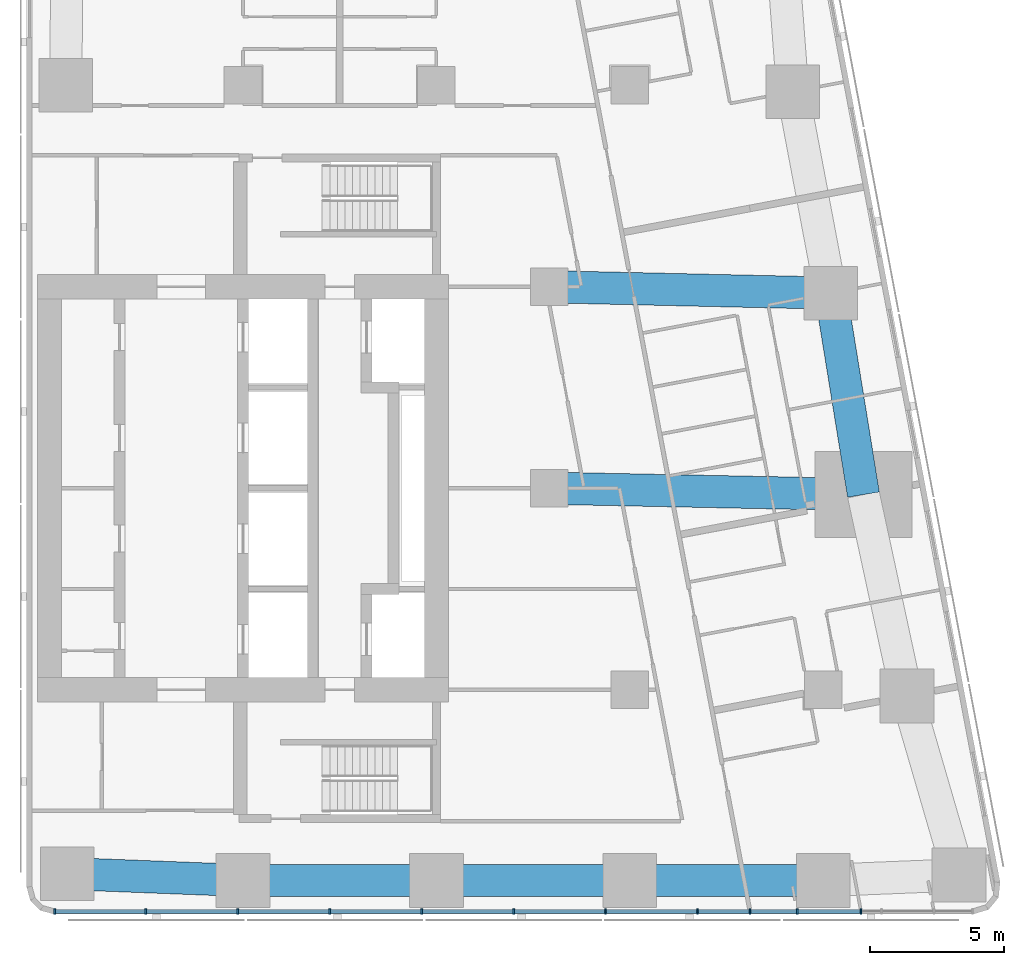
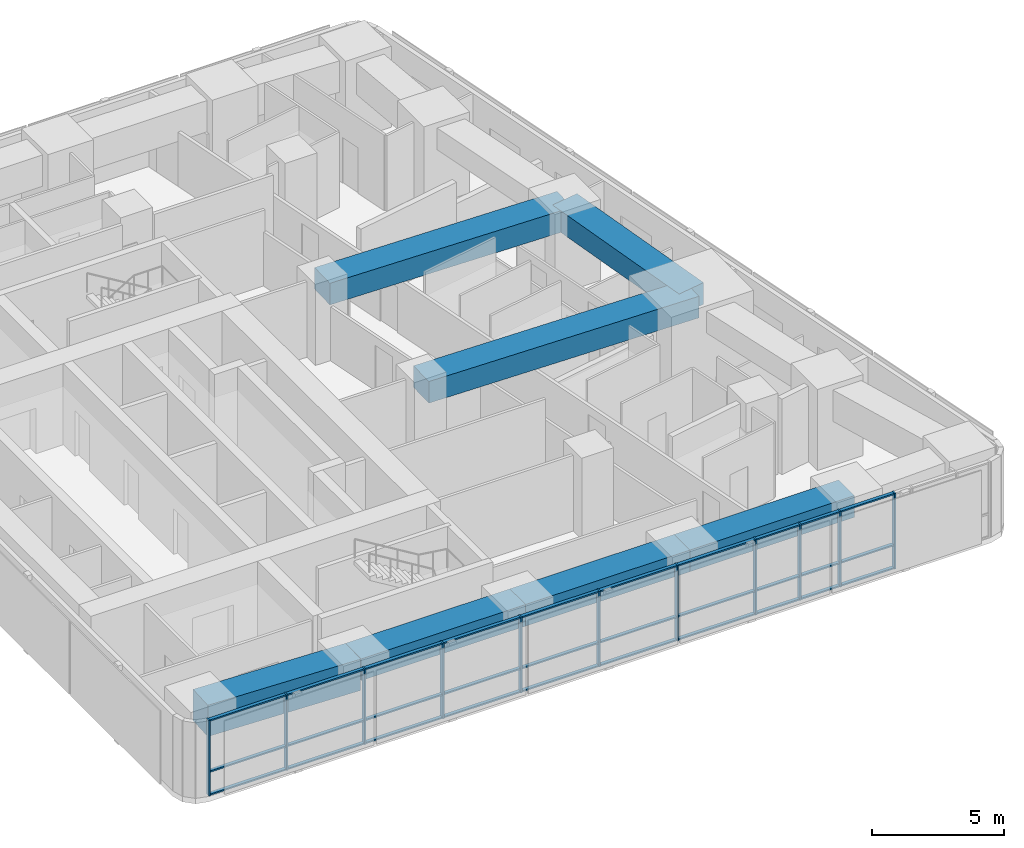
# One storey, part 2 of 11: 41 members, 7 beams, 1 element without a shape of its own.
"""IFC4 building model written with IfcOpenShell, lengths in metres."""

import ifcopenshell
import ifcopenshell.guid

model = None  # the IFC model being written
_history = None  # IfcOwnerHistory: only IFC2X3 demands one
_inside = {}  # id of a spatial element -> (the spatial element, [elements in it])
_under = {}  # id of a project, library or spatial element -> (it, [spatial elements below it])
_declared = {}  # id of a project -> (the project, [libraries it declares])
_typed = {}  # id of a type object -> (the type object, [elements of that type])
_made_of = {}  # id of a material, layer set ... -> (it, [elements and type objects made of it])


def new_model(schema):
    """Start an empty IFC model of exactly this schema.

    Asked for "IFC4X3", IfcOpenShell would pick the latest addendum, in which some entities
    have other attributes; the version numbers below select the first issue.
    IFC2X3 requires an IfcOwnerHistory on every rooted entity: one is made here for all.
    """
    global model, _history
    if schema == "IFC4X3":
        model = ifcopenshell.file(schema_version=(4, 3, 0, 0))
    else:
        model = ifcopenshell.file(schema=schema)
    _inside.clear()
    _under.clear()
    _declared.clear()
    _typed.clear()
    _made_of.clear()
    _history = None
    if model.schema == "IFC2X3":
        org = make("IfcOrganization", Name="unknown")
        user = make(
            "IfcPersonAndOrganization",
            ThePerson=make("IfcPerson", FamilyName="unknown"),
            TheOrganization=org,
        )
        app = make(
            "IfcApplication",
            ApplicationDeveloper=org,
            Version="unknown",
            ApplicationFullName="unknown",
            ApplicationIdentifier="unknown",
        )
        _history = make(
            "IfcOwnerHistory",
            OwningUser=user,
            OwningApplication=app,
            ChangeAction="ADDED",
            CreationDate=0,
        )
    return model


def make(cls, **values):
    """One entity of the class cls with the attributes given. An attribute that is None is left unset."""
    return model.create_entity(
        cls, **{name: value for name, value in values.items() if value is not None}
    )


def rooted(cls, **values):
    """An entity with a GlobalId (a new one), such as an element, a storey or a relation."""
    return make(cls, GlobalId=ifcopenshell.guid.new(), OwnerHistory=_history, **values)


def si_unit(unit_type, name, prefix=None):
    """IfcSIUnit, for example si_unit("LENGTHUNIT", "METRE", prefix="MILLI")."""
    return make("IfcSIUnit", UnitType=unit_type, Prefix=prefix, Name=name)


def assignment(units):
    """IfcUnitAssignment: the units of a project."""
    return None if units is None else make("IfcUnitAssignment", Units=units)


def point(xyz):
    """IfcCartesianPoint."""
    return None if xyz is None else make("IfcCartesianPoint", Coordinates=xyz)


def direction(xyz):
    """IfcDirection."""
    return None if xyz is None else make("IfcDirection", DirectionRatios=xyz)


def frame(location, z_axis=None, x_axis=None):
    """IfcAxis2Placement3D, a coordinate frame: its origin and axes. An axis left out is left unset."""
    return make(
        "IfcAxis2Placement3D",
        Location=point(location),
        Axis=direction(z_axis),
        RefDirection=direction(x_axis),
    )


def frame_2d(location, x_axis=None):
    """IfcAxis2Placement2D, a coordinate frame in the plane: its origin and x axis."""
    return make(
        "IfcAxis2Placement2D", Location=point(location), RefDirection=direction(x_axis)
    )


def origin():
    """The frame at (0, 0, 0) with its axes left unset."""
    return frame((0.0, 0.0, 0.0))


def origin_2d():
    """The frame at (0, 0) in the plane with its x axis left unset."""
    return frame_2d((0.0, 0.0))


def place(relative_to, where):
    """IfcLocalPlacement: puts the frame where relative to a parent placement (None: the world)."""
    return make(
        "IfcLocalPlacement", PlacementRelTo=relative_to, RelativePlacement=where
    )


def context(
    kind, dimensions, precision=None, world=None, true_north=None, identifier=None
):
    """IfcGeometricRepresentationContext, for example the 3D "Model" context."""
    return make(
        "IfcGeometricRepresentationContext",
        ContextIdentifier=identifier,
        ContextType=kind,
        CoordinateSpaceDimension=dimensions,
        Precision=precision,
        WorldCoordinateSystem=world,
        TrueNorth=true_north,
    )


def subcontext(parent, identifier, kind, view, scale=None):
    """IfcGeometricRepresentationSubContext, for example "Body" below "Model"."""
    return make(
        "IfcGeometricRepresentationSubContext",
        ContextIdentifier=identifier,
        ContextType=kind,
        ParentContext=parent,
        TargetScale=scale,
        TargetView=view,
    )


def project(units=None, contexts=None):
    """IfcProject with its units and contexts."""
    return rooted(
        "IfcProject",
        Name="project",
        RepresentationContexts=contexts,
        UnitsInContext=assignment(units),
    )


def spatial(cls, under=None, at=None, **own):
    """A site, building, storey or space (cls), placed at a placement, below another one or the project."""
    s = rooted(cls, ObjectPlacement=at, **own)
    if under is not None:
        _under.setdefault(under.id(), (under, []))[1].append(s)
    return s


def profile(cls, at=None, kind="AREA", **sizes):
    """A parametric profile (cls). Its sizes go by their IFC names, for example OverallWidth=200.0."""
    return make(cls, ProfileType=kind, Position=at, **sizes)


def rectangle(**sizes):
    """IfcRectangleProfileDef."""
    return profile("IfcRectangleProfileDef", **sizes)


def extrude(swept, where, along, depth):
    """IfcExtrudedAreaSolid: the profile swept, set in the frame where, extruded along a direction by depth."""
    return make(
        "IfcExtrudedAreaSolid",
        SweptArea=swept,
        Position=where,
        ExtrudedDirection=direction(along),
        Depth=depth,
    )


def shape(context_of_items, identifier, shape_type, items):
    """IfcShapeRepresentation: the items that make up one representation, for example the "Body"."""
    return make(
        "IfcShapeRepresentation",
        ContextOfItems=context_of_items,
        RepresentationIdentifier=identifier,
        RepresentationType=shape_type,
        Items=items,
    )


def material(Name=None, Category=None):
    """IfcMaterial."""
    return make("IfcMaterial", Name=Name, Category=Category)


def material_profile(
    of_material, cross_section, Name=None, Category=None, Priority=None
):
    """IfcMaterialProfile: a cross section and its material."""
    return make(
        "IfcMaterialProfile",
        Name=Name,
        Material=of_material,
        Profile=cross_section,
        Priority=Priority,
        Category=Category,
    )


def profile_set(profiles, Name=None, composite=None):
    """IfcMaterialProfileSet."""
    return make(
        "IfcMaterialProfileSet",
        Name=Name,
        MaterialProfiles=profiles,
        CompositeProfile=composite,
    )


def made_of(thing, what):
    """Note that an element or type object is made of a material, layer set ...; save() writes the relation."""
    if what is not None:
        _made_of.setdefault(what.id(), (what, []))[1].append(thing)
    return thing


def type_object(cls, material=None, **own):
    """A type object (cls), such as IfcWallType, which elements share."""
    return made_of(rooted(cls, **own), material)


def element(
    cls,
    number,
    at=None,
    inside=None,
    cuts=None,
    type_object=None,
    material=None,
    context=None,
    identifier="Body",
    shape_type=None,
    held_by="IfcProductDefinitionShape",
    body=None,
    shapes=None,
    **own,
):
    """One element of the class cls, such as IfcWall. Its Tag is "e" and its number.

    at: its placement. inside: the storey or other place that contains it. cuts: it is an
    opening in that element (IfcRelVoidsElement). A single representation is given by context,
    identifier, shape_type and body (its items); several are given by shapes. held_by: the class
    of the entity that holds the representations. save() writes the other relations.
    """
    e = rooted(cls, Tag="e%d" % number, ObjectPlacement=at, **own)
    if body is not None:
        shapes = [shape(context, identifier, shape_type, body)]
    if shapes is not None:
        e.Representation = make(held_by, Representations=shapes)
    if inside is not None:
        _inside.setdefault(inside.id(), (inside, []))[1].append(e)
    if cuts is not None:
        rooted(
            "IfcRelVoidsElement", RelatingBuildingElement=cuts, RelatedOpeningElement=e
        )
    if type_object is not None:
        _typed.setdefault(type_object.id(), (type_object, []))[1].append(e)
    return made_of(e, material)


def aggregate(whole, parts):
    """IfcRelAggregates: a whole, such as a stair, and the parts it consists of."""
    return rooted("IfcRelAggregates", RelatingObject=whole, RelatedObjects=parts)


def save(model, path):
    """Write the relations noted so far, then the file.

    IfcRelAggregates (storeys below a building ...), IfcRelContainedInSpatialStructure (elements
    in a storey), IfcRelDefinesByType, IfcRelAssociatesMaterial and IfcRelDeclares: one each for
    every whole, place, type object, material and project.
    """
    for whole, parts in _under.values():
        aggregate(whole, parts)
    for where, things in _inside.values():
        rooted(
            "IfcRelContainedInSpatialStructure",
            RelatedElements=things,
            RelatingStructure=where,
        )
    for kind, things in _typed.values():
        rooted("IfcRelDefinesByType", RelatedObjects=things, RelatingType=kind)
    for what, things in _made_of.values():
        rooted("IfcRelAssociatesMaterial", RelatedObjects=things, RelatingMaterial=what)
    for by, libraries in _declared.values():
        rooted("IfcRelDeclares", RelatingContext=by, RelatedDefinitions=libraries)
    model.write(path)


model = new_model("IFC4")

# Units and contexts
model_context = context("Model", 3, precision=1e-05, world=origin(), true_north=direction((0.0, 1.0)))
body_context = subcontext(model_context, "Body", "Model", "MODEL_VIEW")
ifc_project = project(units=[si_unit("LENGTHUNIT", "METRE"), si_unit("AREAUNIT", "SQUARE_METRE"), si_unit("VOLUMEUNIT", "CUBIC_METRE"), si_unit("PLANEANGLEUNIT", "RADIAN"), si_unit("MASSUNIT", "GRAM", prefix="KILO")], contexts=[model_context])

# Site, building, storey
site_placement = place(None, origin())
site = spatial("IfcSite", under=ifc_project, at=site_placement, CompositionType="ELEMENT")
building_placement = place(site_placement, origin())
building = spatial("IfcBuilding", under=site, at=building_placement, Name="Sheger Commons Tower", CompositionType="ELEMENT")
storey_placement = place(building_placement, frame((0.0, 0.0, 255.35009765625)))
storey = spatial("IfcBuildingStorey", under=building, at=storey_placement, Name="L65", CompositionType="ELEMENT", Elevation=255.35009765625)

# Beams
ifc_material_1 = material(Name="Concrete C50/60", Category="concrete")
ifc_material_profile_1 = material_profile(ifc_material_1, rectangle(XDim=1.199951171875, YDim=1.0, at=origin_2d()), Name="RC 1200x1000")
ifc_profile_set_1 = profile_set([ifc_material_profile_1], Name="Concrete C50/60")
beam_type_1 = type_object("IfcBeamType", Name="BEAM RC 1200x1000", PredefinedType="BEAM", material=ifc_profile_set_1)
beam_1_placement = place(storey_placement, frame((33.0, 22.5, 3.0), z_axis=(0.999794692776, -0.02026258368, 0.0), x_axis=(0.02026258368, 0.999794692776, 0.0)))
element("IfcBeam", 1, at=beam_1_placement, inside=storey, type_object=beam_type_1, Name="Beam 6-3000/D-7/D under L66", PredefinedType="BEAM", context=body_context, shape_type="SweptSolid", body=[
    extrude(rectangle(XDim=1.199951171875, YDim=1.0, at=origin_2d()), origin(), (0.0, 0.0, 1.0), 11.699462890625),
])
beam_2_placement = place(storey_placement, frame((33.0, 30.0, 3.0), z_axis=(0.999744258625, -0.022614538395, 0.0), x_axis=(0.022614538395, 0.999744258625, 0.0)))
element("IfcBeam", 2, at=beam_2_placement, inside=storey, type_object=beam_type_1, Name="Beam 6-3000/E-E/E under L66", PredefinedType="BEAM", context=body_context, shape_type="SweptSolid", body=[
    extrude(rectangle(XDim=1.199951171875, YDim=1.0, at=origin_2d()), origin(), (0.0, 0.0, 1.0), 10.482666015625),
])

# Curtain wall, members
ifc_material_2 = material(Name="Black aluminium curtain wall, dark tinted glazing", Category="aluminium")
curtain_wall_type = type_object("IfcCurtainWallType", Name="CURTAIN WALL CW5 SOUTH GALLERY", PredefinedType="USERDEFINED", material=ifc_material_2)
curtain_wall_placement = place(storey_placement, origin())
curtain_wall = element("IfcCurtainWall", 3, at=curtain_wall_placement, inside=storey, type_object=curtain_wall_type, Name="Curtain Wall Cw5 South Gallery S1 L65", ObjectType="UNITISED CURTAIN WALL", PredefinedType="USERDEFINED")
ifc_material_3 = material(Name="Black anodised aluminium", Category="aluminium")
ifc_material_profile_2 = material_profile(ifc_material_3, rectangle(XDim=0.199951171875, YDim=0.06494140625, at=origin_2d()), Name="AL 65x200")
ifc_profile_set_2 = profile_set([ifc_material_profile_2], Name="Black anodised aluminium")
member_type_1 = type_object("IfcMemberType", Name="MULLION AL 65x200", PredefinedType="MULLION", material=ifc_profile_set_2)
member_1_placement = place(storey_placement, frame((14.595458984375, 6.75, 0.0), z_axis=(0.0, 0.0, 1.0), x_axis=(0.0, 1.0, 0.0)))
member_1 = element("IfcMember", 4, at=member_1_placement, type_object=member_type_1, Name="CW5 mullion 1", PredefinedType="MULLION", context=body_context, shape_type="SweptSolid", body=[
    extrude(rectangle(XDim=0.199951171875, YDim=0.06494140625, at=origin_2d()), origin(), (0.0, 0.0, 1.0), 3.5),
])
member_2_placement = place(storey_placement, frame((17.985107421875, 6.75, 0.0), z_axis=(0.0, 0.0, 1.0), x_axis=(0.0, 1.0, 0.0)))
member_2 = element("IfcMember", 5, at=member_2_placement, type_object=member_type_1, Name="CW5 mullion 2", PredefinedType="MULLION", context=body_context, shape_type="SweptSolid", body=[
    extrude(rectangle(XDim=0.199951171875, YDim=0.06494140625, at=origin_2d()), origin(), (0.0, 0.0, 1.0), 3.5),
])
member_3_placement = place(storey_placement, frame((21.407958984375, 6.75, 0.0), z_axis=(0.0, 0.0, 1.0), x_axis=(0.0, 1.0, 0.0)))
member_3 = element("IfcMember", 6, at=member_3_placement, type_object=member_type_1, Name="CW5 mullion 3", PredefinedType="MULLION", context=body_context, shape_type="SweptSolid", body=[
    extrude(rectangle(XDim=0.199951171875, YDim=0.06494140625, at=origin_2d()), origin(), (0.0, 0.0, 1.0), 3.5),
])
member_4_placement = place(storey_placement, frame((24.830078125, 6.75, 0.0), z_axis=(0.0, 0.0, 1.0), x_axis=(0.0, 1.0, 0.0)))
member_4 = element("IfcMember", 7, at=member_4_placement, type_object=member_type_1, Name="CW5 mullion 4", PredefinedType="MULLION", context=body_context, shape_type="SweptSolid", body=[
    extrude(rectangle(XDim=0.199951171875, YDim=0.06494140625, at=origin_2d()), origin(), (0.0, 0.0, 1.0), 3.5),
])
member_5_placement = place(storey_placement, frame((28.2529296875, 6.75, 0.0), z_axis=(0.0, 0.0, 1.0), x_axis=(0.0, 1.0, 0.0)))
member_5 = element("IfcMember", 8, at=member_5_placement, type_object=member_type_1, Name="CW5 mullion 5", PredefinedType="MULLION", context=body_context, shape_type="SweptSolid", body=[
    extrude(rectangle(XDim=0.199951171875, YDim=0.06494140625, at=origin_2d()), origin(), (0.0, 0.0, 1.0), 3.5),
])
member_6_placement = place(storey_placement, frame((31.675048828125, 6.75, 0.0), z_axis=(0.0, 0.0, 1.0), x_axis=(0.0, 1.0, 0.0)))
member_6 = element("IfcMember", 9, at=member_6_placement, type_object=member_type_1, Name="CW5 mullion 6", PredefinedType="MULLION", context=body_context, shape_type="SweptSolid", body=[
    extrude(rectangle(XDim=0.199951171875, YDim=0.06494140625, at=origin_2d()), origin(), (0.0, 0.0, 1.0), 3.5),
])
member_7_placement = place(storey_placement, frame((35.096923828125, 6.75, 0.0), z_axis=(0.0, 0.0, 1.0), x_axis=(0.0, 1.0, 0.0)))
member_7 = element("IfcMember", 10, at=member_7_placement, type_object=member_type_1, Name="CW5 mullion 7", PredefinedType="MULLION", context=body_context, shape_type="SweptSolid", body=[
    extrude(rectangle(XDim=0.199951171875, YDim=0.06494140625, at=origin_2d()), origin(), (0.0, 0.0, 1.0), 3.5),
])
member_8_placement = place(storey_placement, frame((38.52001953125, 6.75, 0.0), z_axis=(0.0, 0.0, 1.0), x_axis=(0.0, 1.0, 0.0)))
member_8 = element("IfcMember", 11, at=member_8_placement, type_object=member_type_1, Name="CW5 mullion 8", PredefinedType="MULLION", context=body_context, shape_type="SweptSolid", body=[
    extrude(rectangle(XDim=0.199951171875, YDim=0.06494140625, at=origin_2d()), origin(), (0.0, 0.0, 1.0), 3.5),
])
member_9_placement = place(storey_placement, frame((40.47412109375, 6.75, 0.0), z_axis=(0.0, 0.0, 1.0), x_axis=(0.0, 1.0, 0.0)))
member_9 = element("IfcMember", 12, at=member_9_placement, type_object=member_type_1, Name="CW5 mullion 9", PredefinedType="MULLION", context=body_context, shape_type="SweptSolid", body=[
    extrude(rectangle(XDim=0.199951171875, YDim=0.06494140625, at=origin_2d()), origin(), (0.0, 0.0, 1.0), 3.5),
])
member_10_placement = place(storey_placement, frame((42.22802734375, 6.75, 0.0), z_axis=(0.0, 0.0, 1.0), x_axis=(0.0, 1.0, 0.0)))
member_10 = element("IfcMember", 13, at=member_10_placement, type_object=member_type_1, Name="CW5 mullion 10", PredefinedType="MULLION", context=body_context, shape_type="SweptSolid", body=[
    extrude(rectangle(XDim=0.199951171875, YDim=0.06494140625, at=origin_2d()), origin(), (0.0, 0.0, 1.0), 3.5),
])
member_11_placement = place(storey_placement, frame((44.60595703125, 6.75, 0.0), z_axis=(0.0, 0.0, 1.0), x_axis=(0.0, 1.0, 0.0)))
member_11 = element("IfcMember", 14, at=member_11_placement, type_object=member_type_1, Name="CW5 mullion 11", PredefinedType="MULLION", context=body_context, shape_type="SweptSolid", body=[
    extrude(rectangle(XDim=0.199951171875, YDim=0.06494140625, at=origin_2d()), origin(), (0.0, 0.0, 1.0), 3.5),
])

# Beams
ifc_material_4 = material(Name="Concrete C50/60", Category="concrete")
ifc_material_profile_3 = material_profile(ifc_material_4, rectangle(XDim=1.199951171875, YDim=1.0, at=origin_2d()), Name="RC 1200x1000")
ifc_profile_set_3 = profile_set([ifc_material_profile_3], Name="Concrete C50/60")
beam_type_2 = type_object("IfcBeamType", Name="SPANDREL RC 1200x1000", PredefinedType="SPANDREL", material=ifc_profile_set_3)
for number, where, z_axis, x_axis, name in (
    (15, (21.60009765625, 7.89990234375, 3.0), (1.0, 0.0, 0.0), (0.0, 1.0, 0.0), "Beam 4/B-5/B under L66"),
    (16, (28.800048828125, 7.89990234375, 3.0), (1.0, 0.0, 0.0), (0.0, 1.0, 0.0), "Beam 5/B-6/B under L66"),
    (17, (36.0, 7.89990234375, 3.0), (1.0, 0.0, 0.0), (0.0, 1.0, 0.0), "Beam 6/B-7/B under L66"),
):
    element("IfcBeam", number, at=place(storey_placement, frame(where, z_axis=z_axis, x_axis=x_axis)), inside=storey, type_object=beam_type_2, Name=name, PredefinedType="SPANDREL", context=body_context, shape_type="SweptSolid", body=[
        extrude(rectangle(XDim=1.199951171875, YDim=1.0, at=origin_2d()), origin(), (0.0, 0.0, 1.0), 7.199951171875),
    ])
beam_3_placement = place(storey_placement, frame((44.697021484375, 22.262939453125, 3.0), z_axis=(-0.160176929512, 0.987088319884, 0.0), x_axis=(-0.987088319884, -0.160176929512, 0.0)))
element("IfcBeam", 18, at=beam_3_placement, inside=storey, type_object=beam_type_2, Name="Beam E/D-E/E under L66", PredefinedType="SPANDREL", context=body_context, shape_type="SweptSolid", body=[
    extrude(rectangle(XDim=1.199951171875, YDim=1.0, at=origin_2d()), origin(), (0.0, 0.0, 1.0), 7.59814453125),
])
ifc_material_5 = material(Name="Concrete C50/60", Category="concrete")
ifc_material_profile_4 = material_profile(ifc_material_5, rectangle(XDim=1.199951171875, YDim=1.449951171875, at=origin_2d()), Name="RC 1200x1450")
ifc_profile_set_4 = profile_set([ifc_material_profile_4], Name="Concrete C50/60")
beam_type_3 = type_object("IfcBeamType", Name="SPANDREL RC 1200x1450", PredefinedType="SPANDREL", material=ifc_profile_set_4)
beam_4_placement = place(storey_placement, frame((15.053955078125, 8.154052734375, 2.77490234375), z_axis=(0.999247181966, -0.038795223079, 0.0), x_axis=(0.038795223079, 0.999247181966, 0.0)))
element("IfcBeam", 19, at=beam_4_placement, inside=storey, type_object=beam_type_3, Name="Beam 3/B-4/B under L66", PredefinedType="SPANDREL", context=body_context, shape_type="SweptSolid", body=[
    extrude(rectangle(XDim=1.199951171875, YDim=1.449951171875, at=origin_2d()), origin(), (0.0, 0.0, 1.0), 6.551025390625),
])

# Member
ifc_material_6 = material(Name="Black anodised aluminium", Category="aluminium")
ifc_material_profile_5 = material_profile(ifc_material_6, rectangle(XDim=0.14990234375, YDim=0.06494140625, at=origin_2d()), Name="AL 65x150")
ifc_profile_set_5 = profile_set([ifc_material_profile_5], Name="Black anodised aluminium")
member_type_2 = type_object("IfcMemberType", Name="TRANSOM AL 65x150", PredefinedType="USERDEFINED", material=ifc_profile_set_5)
member_12_placement = place(storey_placement, frame((14.6279296875, 6.75, 0.032470703125), z_axis=(1.0, 0.0, 0.0), x_axis=(0.0, 1.0, 0.0)))
member_12 = element("IfcMember", 20, at=member_12_placement, type_object=member_type_2, Name="CW5 transom 1.1", ObjectType="TRANSOM", PredefinedType="USERDEFINED", context=body_context, shape_type="SweptSolid", body=[
    extrude(rectangle(XDim=0.14990234375, YDim=0.06494140625, at=origin_2d()), origin(), (0.0, 0.0, 1.0), 3.324462890625),
])

member_13_placement = place(storey_placement, frame((14.6279296875, 6.75, 1.099853515625), z_axis=(1.0, 0.0, 0.0), x_axis=(0.0, 1.0, 0.0)))
member_13 = element("IfcMember", 21, at=member_13_placement, type_object=member_type_2, Name="CW5 transom 1.2", ObjectType="TRANSOM", PredefinedType="USERDEFINED", context=body_context, shape_type="SweptSolid", body=[
    extrude(rectangle(XDim=0.14990234375, YDim=0.06494140625, at=origin_2d()), origin(), (0.0, 0.0, 1.0), 3.324462890625),
])

member_14_placement = place(storey_placement, frame((14.6279296875, 6.75, 3.46728515625), z_axis=(1.0, 0.0, 0.0), x_axis=(0.0, 1.0, 0.0)))
member_14 = element("IfcMember", 22, at=member_14_placement, type_object=member_type_2, Name="CW5 transom 1.3", ObjectType="TRANSOM", PredefinedType="USERDEFINED", context=body_context, shape_type="SweptSolid", body=[
    extrude(rectangle(XDim=0.14990234375, YDim=0.06494140625, at=origin_2d()), origin(), (0.0, 0.0, 1.0), 3.324462890625),
])

member_15_placement = place(storey_placement, frame((18.017578125, 6.75, 0.032470703125), z_axis=(1.0, 0.0, 0.0), x_axis=(0.0, 1.0, 0.0)))
member_15 = element("IfcMember", 23, at=member_15_placement, type_object=member_type_2, Name="CW5 transom 2.1", ObjectType="TRANSOM", PredefinedType="USERDEFINED", context=body_context, shape_type="SweptSolid", body=[
    extrude(rectangle(XDim=0.14990234375, YDim=0.06494140625, at=origin_2d()), origin(), (0.0, 0.0, 1.0), 3.35791015625),
])

member_16_placement = place(storey_placement, frame((18.017578125, 6.75, 1.099853515625), z_axis=(1.0, 0.0, 0.0), x_axis=(0.0, 1.0, 0.0)))
member_16 = element("IfcMember", 24, at=member_16_placement, type_object=member_type_2, Name="CW5 transom 2.2", ObjectType="TRANSOM", PredefinedType="USERDEFINED", context=body_context, shape_type="SweptSolid", body=[
    extrude(rectangle(XDim=0.14990234375, YDim=0.06494140625, at=origin_2d()), origin(), (0.0, 0.0, 1.0), 3.35791015625),
])

member_17_placement = place(storey_placement, frame((18.017578125, 6.75, 3.46728515625), z_axis=(1.0, 0.0, 0.0), x_axis=(0.0, 1.0, 0.0)))
member_17 = element("IfcMember", 25, at=member_17_placement, type_object=member_type_2, Name="CW5 transom 2.3", ObjectType="TRANSOM", PredefinedType="USERDEFINED", context=body_context, shape_type="SweptSolid", body=[
    extrude(rectangle(XDim=0.14990234375, YDim=0.06494140625, at=origin_2d()), origin(), (0.0, 0.0, 1.0), 3.35791015625),
])

member_18_placement = place(storey_placement, frame((21.4404296875, 6.75, 0.032470703125), z_axis=(1.0, 0.0, 0.0), x_axis=(0.0, 1.0, 0.0)))
member_18 = element("IfcMember", 26, at=member_18_placement, type_object=member_type_2, Name="CW5 transom 3.1", ObjectType="TRANSOM", PredefinedType="USERDEFINED", context=body_context, shape_type="SweptSolid", body=[
    extrude(rectangle(XDim=0.14990234375, YDim=0.06494140625, at=origin_2d()), origin(), (0.0, 0.0, 1.0), 3.357177734375),
])

member_19_placement = place(storey_placement, frame((21.4404296875, 6.75, 1.099853515625), z_axis=(1.0, 0.0, 0.0), x_axis=(0.0, 1.0, 0.0)))
member_19 = element("IfcMember", 27, at=member_19_placement, type_object=member_type_2, Name="CW5 transom 3.2", ObjectType="TRANSOM", PredefinedType="USERDEFINED", context=body_context, shape_type="SweptSolid", body=[
    extrude(rectangle(XDim=0.14990234375, YDim=0.06494140625, at=origin_2d()), origin(), (0.0, 0.0, 1.0), 3.357177734375),
])

member_20_placement = place(storey_placement, frame((21.4404296875, 6.75, 3.46728515625), z_axis=(1.0, 0.0, 0.0), x_axis=(0.0, 1.0, 0.0)))
member_20 = element("IfcMember", 28, at=member_20_placement, type_object=member_type_2, Name="CW5 transom 3.3", ObjectType="TRANSOM", PredefinedType="USERDEFINED", context=body_context, shape_type="SweptSolid", body=[
    extrude(rectangle(XDim=0.14990234375, YDim=0.06494140625, at=origin_2d()), origin(), (0.0, 0.0, 1.0), 3.357177734375),
])

member_21_placement = place(storey_placement, frame((24.862548828125, 6.75, 0.032470703125), z_axis=(1.0, 0.0, 0.0), x_axis=(0.0, 1.0, 0.0)))
member_21 = element("IfcMember", 29, at=member_21_placement, type_object=member_type_2, Name="CW5 transom 4.1", ObjectType="TRANSOM", PredefinedType="USERDEFINED", context=body_context, shape_type="SweptSolid", body=[
    extrude(rectangle(XDim=0.14990234375, YDim=0.06494140625, at=origin_2d()), origin(), (0.0, 0.0, 1.0), 3.35791015625),
])

member_22_placement = place(storey_placement, frame((24.862548828125, 6.75, 1.099853515625), z_axis=(1.0, 0.0, 0.0), x_axis=(0.0, 1.0, 0.0)))
member_22 = element("IfcMember", 30, at=member_22_placement, type_object=member_type_2, Name="CW5 transom 4.2", ObjectType="TRANSOM", PredefinedType="USERDEFINED", context=body_context, shape_type="SweptSolid", body=[
    extrude(rectangle(XDim=0.14990234375, YDim=0.06494140625, at=origin_2d()), origin(), (0.0, 0.0, 1.0), 3.35791015625),
])

member_23_placement = place(storey_placement, frame((24.862548828125, 6.75, 3.46728515625), z_axis=(1.0, 0.0, 0.0), x_axis=(0.0, 1.0, 0.0)))
member_23 = element("IfcMember", 31, at=member_23_placement, type_object=member_type_2, Name="CW5 transom 4.3", ObjectType="TRANSOM", PredefinedType="USERDEFINED", context=body_context, shape_type="SweptSolid", body=[
    extrude(rectangle(XDim=0.14990234375, YDim=0.06494140625, at=origin_2d()), origin(), (0.0, 0.0, 1.0), 3.35791015625),
])

member_24_placement = place(storey_placement, frame((28.285400390625, 6.75, 0.032470703125), z_axis=(1.0, 0.0, 0.0), x_axis=(0.0, 1.0, 0.0)))
member_24 = element("IfcMember", 32, at=member_24_placement, type_object=member_type_2, Name="CW5 transom 5.1", ObjectType="TRANSOM", PredefinedType="USERDEFINED", context=body_context, shape_type="SweptSolid", body=[
    extrude(rectangle(XDim=0.14990234375, YDim=0.06494140625, at=origin_2d()), origin(), (0.0, 0.0, 1.0), 3.357177734375),
])

member_25_placement = place(storey_placement, frame((28.285400390625, 6.75, 1.099853515625), z_axis=(1.0, 0.0, 0.0), x_axis=(0.0, 1.0, 0.0)))
member_25 = element("IfcMember", 33, at=member_25_placement, type_object=member_type_2, Name="CW5 transom 5.2", ObjectType="TRANSOM", PredefinedType="USERDEFINED", context=body_context, shape_type="SweptSolid", body=[
    extrude(rectangle(XDim=0.14990234375, YDim=0.06494140625, at=origin_2d()), origin(), (0.0, 0.0, 1.0), 3.357177734375),
])

member_26_placement = place(storey_placement, frame((28.285400390625, 6.75, 3.46728515625), z_axis=(1.0, 0.0, 0.0), x_axis=(0.0, 1.0, 0.0)))
member_26 = element("IfcMember", 34, at=member_26_placement, type_object=member_type_2, Name="CW5 transom 5.3", ObjectType="TRANSOM", PredefinedType="USERDEFINED", context=body_context, shape_type="SweptSolid", body=[
    extrude(rectangle(XDim=0.14990234375, YDim=0.06494140625, at=origin_2d()), origin(), (0.0, 0.0, 1.0), 3.357177734375),
])

member_27_placement = place(storey_placement, frame((31.70751953125, 6.75, 0.032470703125), z_axis=(1.0, 0.0, 0.0), x_axis=(0.0, 1.0, 0.0)))
member_27 = element("IfcMember", 35, at=member_27_placement, type_object=member_type_2, Name="CW5 transom 6.1", ObjectType="TRANSOM", PredefinedType="USERDEFINED", context=body_context, shape_type="SweptSolid", body=[
    extrude(rectangle(XDim=0.14990234375, YDim=0.06494140625, at=origin_2d()), origin(), (0.0, 0.0, 1.0), 3.35693359375),
])

member_28_placement = place(storey_placement, frame((31.70751953125, 6.75, 1.099853515625), z_axis=(1.0, 0.0, 0.0), x_axis=(0.0, 1.0, 0.0)))
member_28 = element("IfcMember", 36, at=member_28_placement, type_object=member_type_2, Name="CW5 transom 6.2", ObjectType="TRANSOM", PredefinedType="USERDEFINED", context=body_context, shape_type="SweptSolid", body=[
    extrude(rectangle(XDim=0.14990234375, YDim=0.06494140625, at=origin_2d()), origin(), (0.0, 0.0, 1.0), 3.35693359375),
])

member_29_placement = place(storey_placement, frame((31.70751953125, 6.75, 3.46728515625), z_axis=(1.0, 0.0, 0.0), x_axis=(0.0, 1.0, 0.0)))
member_29 = element("IfcMember", 37, at=member_29_placement, type_object=member_type_2, Name="CW5 transom 6.3", ObjectType="TRANSOM", PredefinedType="USERDEFINED", context=body_context, shape_type="SweptSolid", body=[
    extrude(rectangle(XDim=0.14990234375, YDim=0.06494140625, at=origin_2d()), origin(), (0.0, 0.0, 1.0), 3.35693359375),
])

member_30_placement = place(storey_placement, frame((35.12939453125, 6.75, 0.032470703125), z_axis=(1.0, 0.0, 0.0), x_axis=(0.0, 1.0, 0.0)))
member_30 = element("IfcMember", 38, at=member_30_placement, type_object=member_type_2, Name="CW5 transom 7.1", ObjectType="TRANSOM", PredefinedType="USERDEFINED", context=body_context, shape_type="SweptSolid", body=[
    extrude(rectangle(XDim=0.14990234375, YDim=0.06494140625, at=origin_2d()), origin(), (0.0, 0.0, 1.0), 3.358154296875),
])

member_31_placement = place(storey_placement, frame((35.12939453125, 6.75, 1.099853515625), z_axis=(1.0, 0.0, 0.0), x_axis=(0.0, 1.0, 0.0)))
member_31 = element("IfcMember", 39, at=member_31_placement, type_object=member_type_2, Name="CW5 transom 7.2", ObjectType="TRANSOM", PredefinedType="USERDEFINED", context=body_context, shape_type="SweptSolid", body=[
    extrude(rectangle(XDim=0.14990234375, YDim=0.06494140625, at=origin_2d()), origin(), (0.0, 0.0, 1.0), 3.358154296875),
])

member_32_placement = place(storey_placement, frame((35.12939453125, 6.75, 3.46728515625), z_axis=(1.0, 0.0, 0.0), x_axis=(0.0, 1.0, 0.0)))
member_32 = element("IfcMember", 40, at=member_32_placement, type_object=member_type_2, Name="CW5 transom 7.3", ObjectType="TRANSOM", PredefinedType="USERDEFINED", context=body_context, shape_type="SweptSolid", body=[
    extrude(rectangle(XDim=0.14990234375, YDim=0.06494140625, at=origin_2d()), origin(), (0.0, 0.0, 1.0), 3.358154296875),
])

member_33_placement = place(storey_placement, frame((38.552490234375, 6.75, 0.032470703125), z_axis=(1.0, 0.0, 0.0), x_axis=(0.0, 1.0, 0.0)))
member_33 = element("IfcMember", 41, at=member_33_placement, type_object=member_type_2, Name="CW5 transom 8.1", ObjectType="TRANSOM", PredefinedType="USERDEFINED", context=body_context, shape_type="SweptSolid", body=[
    extrude(rectangle(XDim=0.14990234375, YDim=0.06494140625, at=origin_2d()), origin(), (0.0, 0.0, 1.0), 1.888916015625),
])

member_34_placement = place(storey_placement, frame((38.552490234375, 6.75, 1.099853515625), z_axis=(1.0, 0.0, 0.0), x_axis=(0.0, 1.0, 0.0)))
member_34 = element("IfcMember", 42, at=member_34_placement, type_object=member_type_2, Name="CW5 transom 8.2", ObjectType="TRANSOM", PredefinedType="USERDEFINED", context=body_context, shape_type="SweptSolid", body=[
    extrude(rectangle(XDim=0.14990234375, YDim=0.06494140625, at=origin_2d()), origin(), (0.0, 0.0, 1.0), 1.888916015625),
])

member_35_placement = place(storey_placement, frame((38.552490234375, 6.75, 3.46728515625), z_axis=(1.0, 0.0, 0.0), x_axis=(0.0, 1.0, 0.0)))
member_35 = element("IfcMember", 43, at=member_35_placement, type_object=member_type_2, Name="CW5 transom 8.3", ObjectType="TRANSOM", PredefinedType="USERDEFINED", context=body_context, shape_type="SweptSolid", body=[
    extrude(rectangle(XDim=0.14990234375, YDim=0.06494140625, at=origin_2d()), origin(), (0.0, 0.0, 1.0), 1.888916015625),
])

member_36_placement = place(storey_placement, frame((40.506591796875, 6.75, 0.032470703125), z_axis=(1.0, 0.0, 0.0), x_axis=(0.0, 1.0, 0.0)))
member_36 = element("IfcMember", 44, at=member_36_placement, type_object=member_type_2, Name="CW5 transom 9.1", ObjectType="TRANSOM", PredefinedType="USERDEFINED", context=body_context, shape_type="SweptSolid", body=[
    extrude(rectangle(XDim=0.14990234375, YDim=0.06494140625, at=origin_2d()), origin(), (0.0, 0.0, 1.0), 1.68896484375),
])

member_37_placement = place(storey_placement, frame((40.506591796875, 6.75, 1.099853515625), z_axis=(1.0, 0.0, 0.0), x_axis=(0.0, 1.0, 0.0)))
member_37 = element("IfcMember", 45, at=member_37_placement, type_object=member_type_2, Name="CW5 transom 9.2", ObjectType="TRANSOM", PredefinedType="USERDEFINED", context=body_context, shape_type="SweptSolid", body=[
    extrude(rectangle(XDim=0.14990234375, YDim=0.06494140625, at=origin_2d()), origin(), (0.0, 0.0, 1.0), 1.68896484375),
])

member_38_placement = place(storey_placement, frame((40.506591796875, 6.75, 3.46728515625), z_axis=(1.0, 0.0, 0.0), x_axis=(0.0, 1.0, 0.0)))
member_38 = element("IfcMember", 46, at=member_38_placement, type_object=member_type_2, Name="CW5 transom 9.3", ObjectType="TRANSOM", PredefinedType="USERDEFINED", context=body_context, shape_type="SweptSolid", body=[
    extrude(rectangle(XDim=0.14990234375, YDim=0.06494140625, at=origin_2d()), origin(), (0.0, 0.0, 1.0), 1.68896484375),
])

member_39_placement = place(storey_placement, frame((42.260498046875, 6.75, 0.032470703125), z_axis=(1.0, 0.0, 0.0), x_axis=(0.0, 1.0, 0.0)))
member_39 = element("IfcMember", 47, at=member_39_placement, type_object=member_type_2, Name="CW5 transom 10.1", ObjectType="TRANSOM", PredefinedType="USERDEFINED", context=body_context, shape_type="SweptSolid", body=[
    extrude(rectangle(XDim=0.14990234375, YDim=0.06494140625, at=origin_2d()), origin(), (0.0, 0.0, 1.0), 2.31298828125),
])

member_40_placement = place(storey_placement, frame((42.260498046875, 6.75, 1.099853515625), z_axis=(1.0, 0.0, 0.0), x_axis=(0.0, 1.0, 0.0)))
member_40 = element("IfcMember", 48, at=member_40_placement, type_object=member_type_2, Name="CW5 transom 10.2", ObjectType="TRANSOM", PredefinedType="USERDEFINED", context=body_context, shape_type="SweptSolid", body=[
    extrude(rectangle(XDim=0.14990234375, YDim=0.06494140625, at=origin_2d()), origin(), (0.0, 0.0, 1.0), 2.31298828125),
])

member_41_placement = place(storey_placement, frame((42.260498046875, 6.75, 3.46728515625), z_axis=(1.0, 0.0, 0.0), x_axis=(0.0, 1.0, 0.0)))
member_41 = element("IfcMember", 49, at=member_41_placement, type_object=member_type_2, Name="CW5 transom 10.3", ObjectType="TRANSOM", PredefinedType="USERDEFINED", context=body_context, shape_type="SweptSolid", body=[
    extrude(rectangle(XDim=0.14990234375, YDim=0.06494140625, at=origin_2d()), origin(), (0.0, 0.0, 1.0), 2.31298828125),
])

aggregate(curtain_wall, [member_1, member_2, member_3, member_4, member_5, member_6, member_7, member_8, member_9, member_10, member_11, member_12, member_13, member_14, member_15, member_16, member_17, member_18, member_19, member_20, member_21, member_22, member_23, member_24, member_25, member_26, member_27, member_28, member_29, member_30, member_31, member_32, member_33, member_34, member_35, member_36, member_37, member_38, member_39, member_40, member_41])

save(model, "model.ifc")
